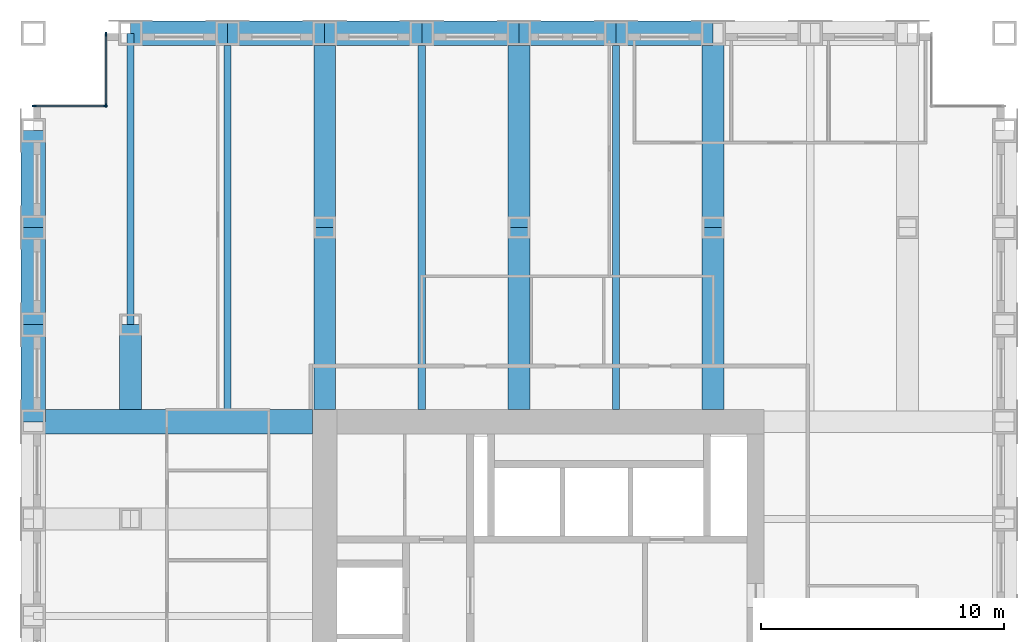
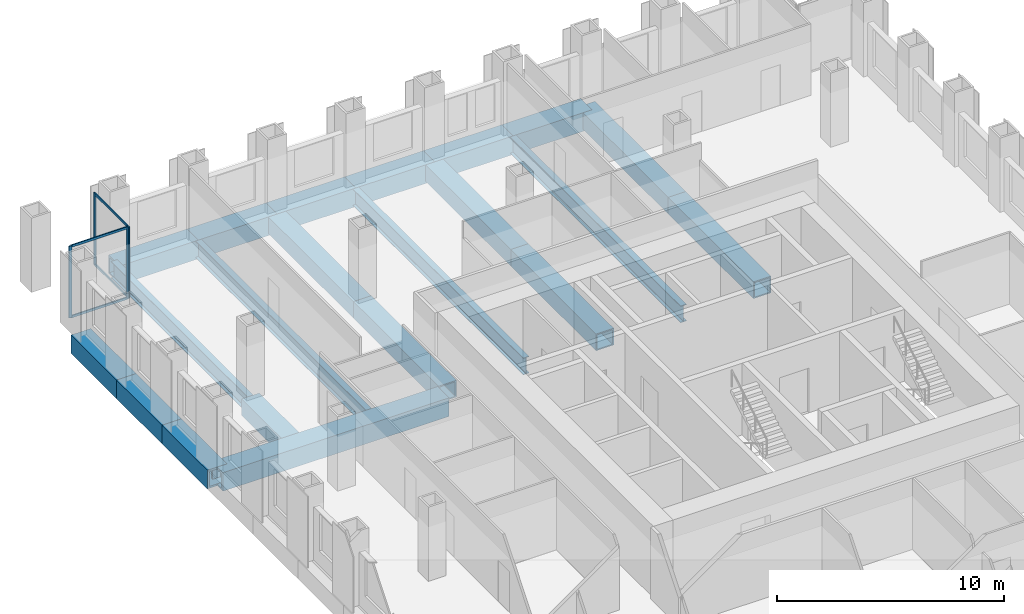
# One storey, part 5 of 12: 21 beams, 8 members, 2 elements without a shape of their own.
"""IFC4 building model written with IfcOpenShell, lengths in metres."""

from ifc_helpers import new_model, si_unit, direction, frame, origin, origin_2d, place, context, subcontext, project, spatial, rectangle, hollow_rectangle, i_section, extrude, material, material_profile, profile_set, type_object, element, aggregate, save


model = new_model("IFC4")

# Units and contexts
model_context = context("Model", 3, precision=1e-05, world=origin(), true_north=direction((0.0, 1.0)))
body_context = subcontext(model_context, "Body", "Model", "MODEL_VIEW")
ifc_project = project(units=[si_unit("LENGTHUNIT", "METRE"), si_unit("AREAUNIT", "SQUARE_METRE"), si_unit("VOLUMEUNIT", "CUBIC_METRE"), si_unit("PLANEANGLEUNIT", "RADIAN"), si_unit("MASSUNIT", "GRAM", prefix="KILO")], contexts=[model_context])

# Site, building, storey
site_placement = place(None, origin())
site = spatial("IfcSite", under=ifc_project, at=site_placement, CompositionType="ELEMENT")
building_placement = place(site_placement, origin())
building = spatial("IfcBuilding", under=site, at=building_placement, Name="Rimbunsela Tower", CompositionType="ELEMENT")
storey_placement = place(building_placement, frame((0.0, 0.0, 163.800048828125)))
storey = spatial("IfcBuildingStorey", under=building, at=storey_placement, Name="L39", CompositionType="ELEMENT", Elevation=163.800048828125)

# Beams
ifc_material_1 = material(Name="Steel BJ 55 (fy 410 MPa)", Category="steel")
ifc_material_profile_1 = material_profile(ifc_material_1, hollow_rectangle(XDim=1.0, YDim=1.0, WallThickness=0.10009765625, at=origin_2d()), Name="BOX 1000x1000x100")
ifc_profile_set_1 = profile_set([ifc_material_profile_1], Name="Steel BJ 55 (fy 410 MPa)")
beam_type_1 = type_object("IfcBeamType", Name="Beam BOX 1000x1000x100", PredefinedType="BEAM", material=ifc_profile_set_1)
beam_1_placement = place(storey_placement, frame((6.0, 36.0, -0.650146484375), z_axis=(0.0, 1.0, 0.0), x_axis=(-1.0, 0.0, 0.0)))
element("IfcBeam", 1, at=beam_1_placement, inside=storey, type_object=beam_type_1, Name="Beam B3 L39", PredefinedType="BEAM", context=body_context, shape_type="SweptSolid", body=[
    extrude(hollow_rectangle(XDim=1.0, YDim=1.0, WallThickness=0.10009765625, at=origin_2d()), origin(), (0.0, 0.0, 1.0), 4.0),
])
beam_2_placement = place(storey_placement, frame((6.0, 36.0, -0.650146484375), z_axis=(1.0, 0.0, 0.0), x_axis=(0.0, 1.0, 0.0)))
element("IfcBeam", 2, at=beam_2_placement, inside=storey, type_object=beam_type_1, Name="Beam B3 L39", PredefinedType="BEAM", context=body_context, shape_type="SweptSolid", body=[
    extrude(hollow_rectangle(XDim=1.0, YDim=1.0, WallThickness=0.10009765625, at=origin_2d()), origin(), (0.0, 0.0, 1.0), 11.5),
])
for number, where, z_axis, x_axis, name in (
    (3, (6.0, 40.0, -0.650146484375), (0.0, 1.0, 0.0), (-1.0, 0.0, 0.0), "Beam B3 L39"),
    (4, (6.0, 44.0, -0.650146484375), (0.0, 1.0, 0.0), (-1.0, 0.0, 0.0), "Beam B3 L39"),
    (5, (10.0, 52.0, -0.650146484375), (1.0, 0.0, 0.0), (0.0, 1.0, 0.0), "Beam B3 L39"),
    (6, (14.0, 52.0, -0.650146484375), (1.0, 0.0, 0.0), (0.0, 1.0, 0.0), "Beam B3 L39"),
    (7, (18.0, 52.0, -0.650146484375), (1.0, 0.0, 0.0), (0.0, 1.0, 0.0), "Beam B3 L39"),
    (8, (22.0, 52.0, -0.650146484375), (1.0, 0.0, 0.0), (0.0, 1.0, 0.0), "Beam B3 L39"),
    (9, (26.0, 52.0, -0.650146484375), (1.0, 0.0, 0.0), (0.0, 1.0, 0.0), "Beam B3 L39"),
    (10, (30.0, 52.0, -0.650146484375), (1.0, 0.0, 0.0), (0.0, 1.0, 0.0), "Beam B3 L39"),
):
    element("IfcBeam", number, at=place(storey_placement, frame(where, z_axis=z_axis, x_axis=x_axis)), inside=storey, type_object=beam_type_1, Name=name, PredefinedType="BEAM", context=body_context, shape_type="SweptSolid", body=[
        extrude(hollow_rectangle(XDim=1.0, YDim=1.0, WallThickness=0.10009765625, at=origin_2d()), origin(), (0.0, 0.0, 1.0), 4.0),
    ])
ifc_material_2 = material(Name="Steel BJ 55 (fy 410 MPa)", Category="steel")
ifc_material_profile_2 = material_profile(ifc_material_2, hollow_rectangle(XDim=0.89990234375, YDim=0.89990234375, WallThickness=0.06005859375, at=origin_2d()), Name="BOX 900x900x60")
ifc_profile_set_2 = profile_set([ifc_material_profile_2], Name="Steel BJ 55 (fy 410 MPa)")
beam_type_2 = type_object("IfcBeamType", Name="Beam BOX 900x900x60", PredefinedType="BEAM", material=ifc_profile_set_2)
beam_3_placement = place(storey_placement, frame((10.0, 36.5, -0.60009765625), z_axis=(0.0, 1.0, 0.0), x_axis=(-1.0, 0.0, 0.0)))
element("IfcBeam", 11, at=beam_3_placement, inside=storey, type_object=beam_type_2, Name="Beam B1 L39", PredefinedType="BEAM", context=body_context, shape_type="SweptSolid", body=[
    extrude(hollow_rectangle(XDim=0.89990234375, YDim=0.89990234375, WallThickness=0.06005859375, at=origin_2d()), origin(), (0.0, 0.0, 1.0), 3.5),
])
beam_4_placement = place(storey_placement, frame((18.0, 36.5, -0.60009765625), z_axis=(0.0, 1.0, 0.0), x_axis=(-1.0, 0.0, 0.0)))
element("IfcBeam", 12, at=beam_4_placement, inside=storey, type_object=beam_type_2, Name="Beam B1 L39", PredefinedType="BEAM", context=body_context, shape_type="SweptSolid", body=[
    extrude(hollow_rectangle(XDim=0.89990234375, YDim=0.89990234375, WallThickness=0.06005859375, at=origin_2d()), origin(), (0.0, 0.0, 1.0), 7.5),
])
beam_5_placement = place(storey_placement, frame((18.0, 44.0, -0.60009765625), z_axis=(0.0, 1.0, 0.0), x_axis=(-1.0, 0.0, 0.0)))
element("IfcBeam", 13, at=beam_5_placement, inside=storey, type_object=beam_type_2, Name="Beam B1 L39", PredefinedType="BEAM", context=body_context, shape_type="SweptSolid", body=[
    extrude(hollow_rectangle(XDim=0.89990234375, YDim=0.89990234375, WallThickness=0.06005859375, at=origin_2d()), origin(), (0.0, 0.0, 1.0), 8.0),
])
beam_6_placement = place(storey_placement, frame((26.0, 36.5, -0.60009765625), z_axis=(0.0, 1.0, 0.0), x_axis=(-1.0, 0.0, 0.0)))
element("IfcBeam", 14, at=beam_6_placement, inside=storey, type_object=beam_type_2, Name="Beam B1 L39", PredefinedType="BEAM", context=body_context, shape_type="SweptSolid", body=[
    extrude(hollow_rectangle(XDim=0.89990234375, YDim=0.89990234375, WallThickness=0.06005859375, at=origin_2d()), origin(), (0.0, 0.0, 1.0), 7.5),
])
beam_7_placement = place(storey_placement, frame((26.0, 44.0, -0.60009765625), z_axis=(0.0, 1.0, 0.0), x_axis=(-1.0, 0.0, 0.0)))
element("IfcBeam", 15, at=beam_7_placement, inside=storey, type_object=beam_type_2, Name="Beam B1 L39", PredefinedType="BEAM", context=body_context, shape_type="SweptSolid", body=[
    extrude(hollow_rectangle(XDim=0.89990234375, YDim=0.89990234375, WallThickness=0.06005859375, at=origin_2d()), origin(), (0.0, 0.0, 1.0), 8.0),
])
beam_8_placement = place(storey_placement, frame((34.0, 36.5, -0.60009765625), z_axis=(0.0, 1.0, 0.0), x_axis=(-1.0, 0.0, 0.0)))
element("IfcBeam", 16, at=beam_8_placement, inside=storey, type_object=beam_type_2, Name="Beam B1 L39", PredefinedType="BEAM", context=body_context, shape_type="SweptSolid", body=[
    extrude(hollow_rectangle(XDim=0.89990234375, YDim=0.89990234375, WallThickness=0.06005859375, at=origin_2d()), origin(), (0.0, 0.0, 1.0), 7.5),
])
beam_9_placement = place(storey_placement, frame((34.0, 44.0, -0.60009765625), z_axis=(0.0, 1.0, 0.0), x_axis=(-1.0, 0.0, 0.0)))
element("IfcBeam", 17, at=beam_9_placement, inside=storey, type_object=beam_type_2, Name="Beam B1 L39", PredefinedType="BEAM", context=body_context, shape_type="SweptSolid", body=[
    extrude(hollow_rectangle(XDim=0.89990234375, YDim=0.89990234375, WallThickness=0.06005859375, at=origin_2d()), origin(), (0.0, 0.0, 1.0), 8.0),
])
ifc_material_3 = material(Name="Steel BJ 55 (fy 410 MPa)", Category="steel")
ifc_material_profile_3 = material_profile(ifc_material_3, i_section(OverallWidth=0.300048828125, OverallDepth=0.89990234375, WebThickness=0.01611328125, FlangeThickness=0.028076171875, FilletRadius=0.028076171875, at=origin_2d()), Name="H 900x300x16x28")
ifc_profile_set_3 = profile_set([ifc_material_profile_3], Name="Steel BJ 55 (fy 410 MPa)")
beam_type_3 = type_object("IfcBeamType", Name="Beam H 900x300x16x28", PredefinedType="BEAM", material=ifc_profile_set_3)
beam_10_placement = place(storey_placement, frame((10.0, 40.0, -0.60009765625), z_axis=(0.0, 1.0, 0.0), x_axis=(-1.0, 0.0, 0.0)))
element("IfcBeam", 18, at=beam_10_placement, inside=storey, type_object=beam_type_3, Name="Beam B2 L39", PredefinedType="BEAM", context=body_context, shape_type="SweptSolid", body=[
    extrude(i_section(OverallWidth=0.300048828125, OverallDepth=0.89990234375, WebThickness=0.01611328125, FlangeThickness=0.028076171875, FilletRadius=0.028076171875, at=origin_2d()), origin(), (0.0, 0.0, 1.0), 12.0),
])
for number, where, z_axis, x_axis, name in (
    (19, (14.0, 36.5, -0.60009765625), (0.0, 1.0, 0.0), (-1.0, 0.0, 0.0), "Beam B2 L39"),
    (20, (22.0, 36.5, -0.60009765625), (0.0, 1.0, 0.0), (-1.0, 0.0, 0.0), "Beam B2 L39"),
    (21, (30.0, 36.5, -0.60009765625), (0.0, 1.0, 0.0), (-1.0, 0.0, 0.0), "Beam B2 L39"),
):
    element("IfcBeam", number, at=place(storey_placement, frame(where, z_axis=z_axis, x_axis=x_axis)), inside=storey, type_object=beam_type_3, Name=name, PredefinedType="BEAM", context=body_context, shape_type="SweptSolid", body=[
        extrude(i_section(OverallWidth=0.300048828125, OverallDepth=0.89990234375, WebThickness=0.01611328125, FlangeThickness=0.028076171875, FilletRadius=0.028076171875, at=origin_2d()), origin(), (0.0, 0.0, 1.0), 15.5),
    ])

# Curtain wall, members
ifc_material_4 = material(Name="Aluminium curtain wall", Category="aluminium")
curtain_wall_type = type_object("IfcCurtainWallType", Name="Corner glazing", PredefinedType="USERDEFINED", material=ifc_material_4)
curtain_wall_1_placement = place(storey_placement, origin())
curtain_wall_1 = element("IfcCurtainWall", 22, at=curtain_wall_1_placement, inside=storey, type_object=curtain_wall_type, Name="Corner glazing L39", ObjectType="CORNER GLAZING", PredefinedType="USERDEFINED")
ifc_material_5 = material(Name="Aluminium mullion", Category="aluminium")
ifc_material_profile_4 = material_profile(ifc_material_5, rectangle(XDim=0.06005859375, YDim=0.159912109375, at=origin_2d()), Name="Mullion 60x160")
ifc_profile_set_4 = profile_set([ifc_material_profile_4], Name="Aluminium mullion")
member_type_1 = type_object("IfcMemberType", Name="Curtain wall mullion 60x160", PredefinedType="MULLION", material=ifc_profile_set_4)
member_1_placement = place(storey_placement, frame((9.0, 51.969970703125, 0.0), z_axis=(0.0, 0.0, 1.0), x_axis=(1.0, 0.0, 0.0)))
member_1 = element("IfcMember", 23, at=member_1_placement, type_object=member_type_1, Name="CW5 mullion 1", PredefinedType="MULLION", context=body_context, shape_type="SweptSolid", body=[
    extrude(rectangle(XDim=0.06005859375, YDim=0.159912109375, at=origin_2d()), origin(), (0.0, 0.0, 1.0), 3.849853515625),
])
member_2_placement = place(storey_placement, frame((9.0, 49.030029296875, 0.0), z_axis=(0.0, 0.0, 1.0), x_axis=(1.0, 0.0, 0.0)))
member_2 = element("IfcMember", 24, at=member_2_placement, type_object=member_type_1, Name="CW5 mullion 2", PredefinedType="MULLION", context=body_context, shape_type="SweptSolid", body=[
    extrude(rectangle(XDim=0.06005859375, YDim=0.159912109375, at=origin_2d()), origin(), (0.0, 0.0, 1.0), 3.849853515625),
])

curtain_wall_2_placement = place(storey_placement, origin())
curtain_wall_2 = element("IfcCurtainWall", 25, at=curtain_wall_2_placement, inside=storey, type_object=curtain_wall_type, Name="Corner glazing L39", ObjectType="CORNER GLAZING", PredefinedType="USERDEFINED")
member_3_placement = place(storey_placement, frame((8.969970703125, 49.0, 0.0), z_axis=(0.0, 0.0, 1.0), x_axis=(0.0, -1.0, 0.0)))
member_3 = element("IfcMember", 26, at=member_3_placement, type_object=member_type_1, Name="CW5 mullion 1", PredefinedType="MULLION", context=body_context, shape_type="SweptSolid", body=[
    extrude(rectangle(XDim=0.06005859375, YDim=0.159912109375, at=origin_2d()), origin(), (0.0, 0.0, 1.0), 3.849853515625),
])
member_4_placement = place(storey_placement, frame((6.030029296875, 49.0, 0.0), z_axis=(0.0, 0.0, 1.0), x_axis=(0.0, -1.0, 0.0)))
member_4 = element("IfcMember", 27, at=member_4_placement, type_object=member_type_1, Name="CW5 mullion 2", PredefinedType="MULLION", context=body_context, shape_type="SweptSolid", body=[
    extrude(rectangle(XDim=0.06005859375, YDim=0.159912109375, at=origin_2d()), origin(), (0.0, 0.0, 1.0), 3.849853515625),
])

# Member
ifc_material_6 = material(Name="Aluminium transom", Category="aluminium")
ifc_material_profile_5 = material_profile(ifc_material_6, rectangle(XDim=0.06005859375, YDim=0.1201171875, at=origin_2d()), Name="Transom 60x120")
ifc_profile_set_5 = profile_set([ifc_material_profile_5], Name="Aluminium transom")
member_type_2 = type_object("IfcMemberType", Name="Curtain wall transom 60x120", PredefinedType="USERDEFINED", material=ifc_profile_set_5)
member_5_placement = place(storey_placement, frame((9.0, 51.93994140625, 0.030029296875), z_axis=(0.0, -1.0, 0.0), x_axis=(1.0, 0.0, 0.0)))
member_5 = element("IfcMember", 28, at=member_5_placement, type_object=member_type_2, Name="CW5 transom 1.1", ObjectType="TRANSOM", PredefinedType="USERDEFINED", context=body_context, shape_type="SweptSolid", body=[
    extrude(rectangle(XDim=0.06005859375, YDim=0.1201171875, at=origin_2d()), origin(), (0.0, 0.0, 1.0), 2.8798828125),
])

member_6_placement = place(storey_placement, frame((9.0, 51.93994140625, 3.820068359375), z_axis=(0.0, -1.0, 0.0), x_axis=(1.0, 0.0, 0.0)))
member_6 = element("IfcMember", 29, at=member_6_placement, type_object=member_type_2, Name="CW5 transom 1.2", ObjectType="TRANSOM", PredefinedType="USERDEFINED", context=body_context, shape_type="SweptSolid", body=[
    extrude(rectangle(XDim=0.06005859375, YDim=0.1201171875, at=origin_2d()), origin(), (0.0, 0.0, 1.0), 2.8798828125),
])

aggregate(curtain_wall_1, [member_1, member_2, member_5, member_6])

member_7_placement = place(storey_placement, frame((8.93994140625, 49.0, 0.030029296875), z_axis=(-1.0, 0.0, 0.0), x_axis=(0.0, -1.0, 0.0)))
member_7 = element("IfcMember", 30, at=member_7_placement, type_object=member_type_2, Name="CW5 transom 1.1", ObjectType="TRANSOM", PredefinedType="USERDEFINED", context=body_context, shape_type="SweptSolid", body=[
    extrude(rectangle(XDim=0.06005859375, YDim=0.1201171875, at=origin_2d()), origin(), (0.0, 0.0, 1.0), 2.8798828125),
])

member_8_placement = place(storey_placement, frame((8.93994140625, 49.0, 3.820068359375), z_axis=(-1.0, 0.0, 0.0), x_axis=(0.0, -1.0, 0.0)))
member_8 = element("IfcMember", 31, at=member_8_placement, type_object=member_type_2, Name="CW5 transom 1.2", ObjectType="TRANSOM", PredefinedType="USERDEFINED", context=body_context, shape_type="SweptSolid", body=[
    extrude(rectangle(XDim=0.06005859375, YDim=0.1201171875, at=origin_2d()), origin(), (0.0, 0.0, 1.0), 2.8798828125),
])

aggregate(curtain_wall_2, [member_3, member_4, member_7, member_8])

save(model, "model.ifc")
